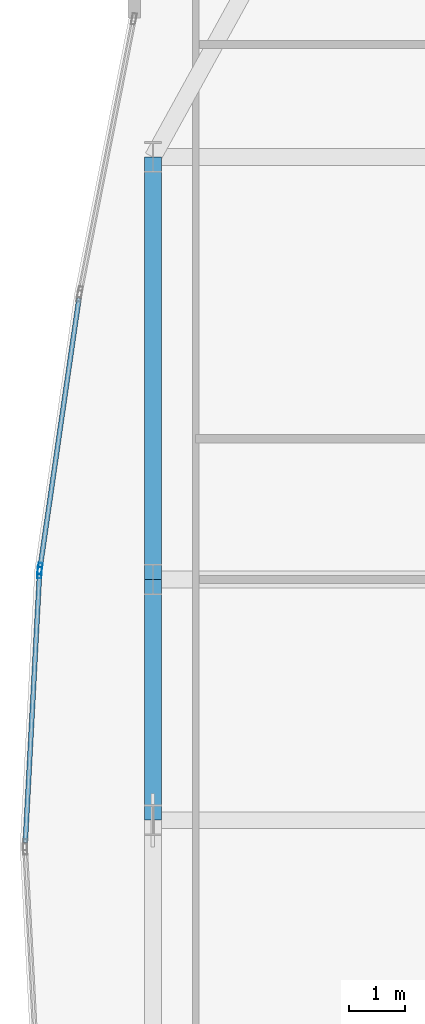
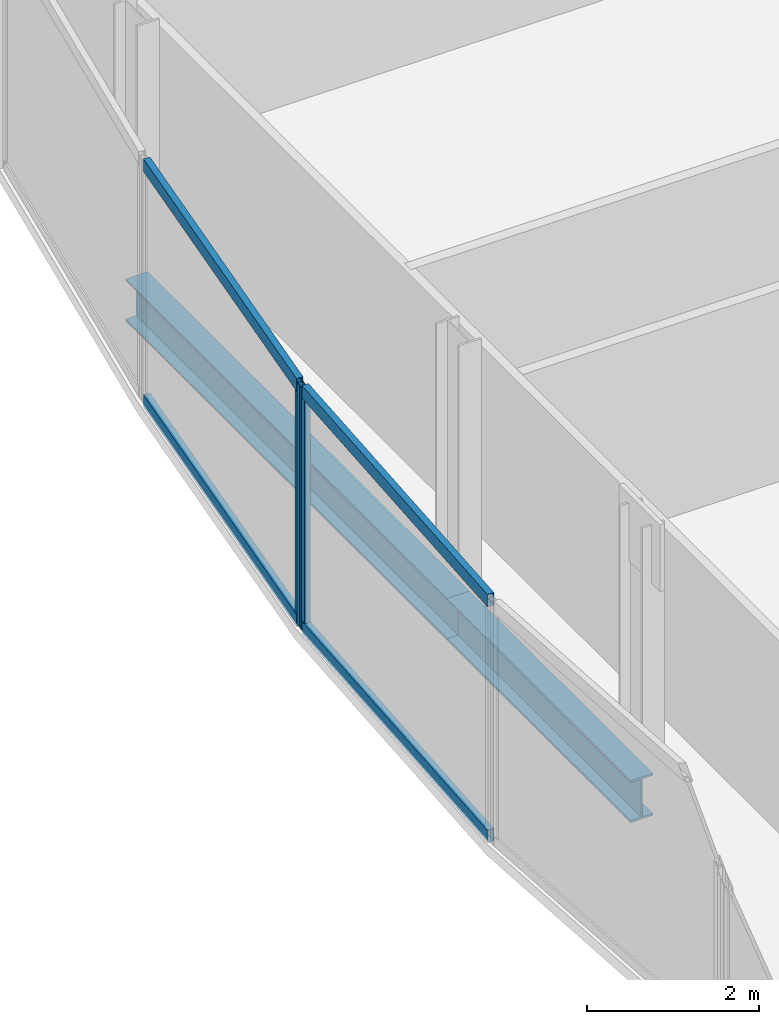
# One storey, part 11 of 29: 6 members, 2 beams, 2 elements without a shape of their own.
"""IFC4 building model written with IfcOpenShell, lengths in metres."""

from ifc_helpers import new_model, si_unit, direction, frame, origin, origin_2d, place, context, subcontext, project, spatial, hollow_rectangle, i_section, extrude, material, material_profile, profile_set, type_object, element, aggregate, save


model = new_model("IFC4")

# Units and contexts
model_context = context("Model", 3, precision=1e-05, world=origin(), true_north=direction((0.0, 1.0)))
body_context = subcontext(model_context, "Body", "Model", "MODEL_VIEW")
ifc_project = project(units=[si_unit("LENGTHUNIT", "METRE"), si_unit("AREAUNIT", "SQUARE_METRE"), si_unit("VOLUMEUNIT", "CUBIC_METRE"), si_unit("PLANEANGLEUNIT", "RADIAN"), si_unit("MASSUNIT", "GRAM", prefix="KILO")], contexts=[model_context])

# Site, building, storey
site_placement = place(None, origin())
site = spatial("IfcSite", under=ifc_project, at=site_placement, CompositionType="ELEMENT")
building_placement = place(site_placement, origin())
building = spatial("IfcBuilding", under=site, at=building_placement, Name="Khoronbel Lancet Exchange", CompositionType="ELEMENT")
storey_placement = place(building_placement, frame((0.0, 0.0, 154.199951171875)))
storey = spatial("IfcBuildingStorey", under=building, at=storey_placement, Name="L38", CompositionType="ELEMENT", Elevation=154.199951171875)

# Beams
ifc_material_1 = material(Name="Steel S355", Category="steel")
ifc_material_profile_1 = material_profile(ifc_material_1, i_section(OverallWidth=0.300048828125, OverallDepth=0.60009765625, WebThickness=0.015380859375, FlangeThickness=0.030029296875, at=origin_2d()), Name="HEB 600")
ifc_profile_set_1 = profile_set([ifc_material_profile_1], Name="Steel S355")
beam_type = type_object("IfcBeamType", Name="BM-BSP2", PredefinedType="SPANDREL", material=ifc_profile_set_1)
beam_1_placement = place(storey_placement, frame((5.27001953125, 43.199951171875, -0.4599609375), z_axis=(0.0, -1.0, 0.0), x_axis=(1.0, 0.0, 0.0)))
element("IfcBeam", 1, at=beam_1_placement, inside=storey, type_object=beam_type, Name="Level L38 perimeter spandrel beam SP17", PredefinedType="SPANDREL", context=body_context, shape_type="SweptSolid", body=[
    extrude(i_section(OverallWidth=0.300048828125, OverallDepth=0.60009765625, WebThickness=0.015380859375, FlangeThickness=0.030029296875, at=origin_2d()), origin(), (0.0, 0.0, 1.0), 7.5),
])
beam_2_placement = place(storey_placement, frame((5.27001953125, 35.699951171875, -0.4599609375), z_axis=(0.0, -1.0, 0.0), x_axis=(1.0, 0.0, 0.0)))
element("IfcBeam", 2, at=beam_2_placement, inside=storey, type_object=beam_type, Name="Level L38 perimeter spandrel beam SP18", PredefinedType="SPANDREL", context=body_context, shape_type="SweptSolid", body=[
    extrude(i_section(OverallWidth=0.300048828125, OverallDepth=0.60009765625, WebThickness=0.015380859375, FlangeThickness=0.030029296875, at=origin_2d()), origin(), (0.0, 0.0, 1.0), 4.27490234375),
])

# Curtain wall, member
ifc_material_2 = material(Name="Low-E Solar Control Insulating Glass", Category="glass")
curtain_wall_type = type_object("IfcCurtainWallType", Name="CW-4", PredefinedType="NOTDEFINED", material=ifc_material_2)
curtain_wall_1_placement = place(storey_placement, origin())
curtain_wall_1 = element("IfcCurtainWall", 3, at=curtain_wall_1_placement, inside=storey, type_object=curtain_wall_type, Name="Unitised curtain wall CW-L38-E07", PredefinedType="NOTDEFINED")
ifc_material_3 = material(Name="Bronze-Anodised Aluminium 6063-T6", Category="aluminium")
ifc_material_profile_2 = material_profile(ifc_material_3, hollow_rectangle(XDim=0.074951171875, YDim=0.199951171875, WallThickness=0.0048828125, at=origin_2d()), Name="ALU MULLION 75x200")
ifc_profile_set_2 = profile_set([ifc_material_profile_2], Name="Bronze-Anodised Aluminium 6063-T6")
member_type_1 = type_object("IfcMemberType", Name="MEM-CWM2", PredefinedType="MULLION", material=ifc_profile_set_2)
member_1_placement = place(storey_placement, frame((3.2578125, 35.820556640625, 0.0), z_axis=(0.0, 0.0, 1.0), x_axis=(-0.998605097412, 0.052800183936, 0.0)))
member_1 = element("IfcMember", 4, at=member_1_placement, type_object=member_type_1, Name="CW4 mullion 2", PredefinedType="MULLION", context=body_context, shape_type="SweptSolid", body=[
    extrude(hollow_rectangle(XDim=0.074951171875, YDim=0.199951171875, WallThickness=0.0048828125, at=origin_2d()), origin(), (0.0, 0.0, 1.0), 3.43994140625),
])

curtain_wall_2_placement = place(storey_placement, origin())
curtain_wall_2 = element("IfcCurtainWall", 5, at=curtain_wall_2_placement, inside=storey, type_object=curtain_wall_type, Name="Unitised curtain wall CW-L38-E08", PredefinedType="NOTDEFINED")
member_2_placement = place(storey_placement, frame((3.26513671875, 35.89501953125, 0.0), z_axis=(0.0, 0.0, 1.0), x_axis=(-0.989732666103, 0.142930926147, 0.0)))
member_2 = element("IfcMember", 6, at=member_2_placement, type_object=member_type_1, Name="CW4 mullion 1", PredefinedType="MULLION", context=body_context, shape_type="SweptSolid", body=[
    extrude(hollow_rectangle(XDim=0.074951171875, YDim=0.199951171875, WallThickness=0.0048828125, at=origin_2d()), origin(), (0.0, 0.0, 1.0), 3.43994140625),
])

# Member
ifc_material_profile_3 = material_profile(ifc_material_3, hollow_rectangle(XDim=0.0849609375, YDim=0.179931640625, WallThickness=0.0048828125, at=origin_2d()), Name="ALU TRANSOM 85x180")
ifc_profile_set_3 = profile_set([ifc_material_profile_3], Name="Bronze-Anodised Aluminium 6063-T6")
member_type_2 = type_object("IfcMemberType", Name="MEM-CWT1", PredefinedType="USERDEFINED", material=ifc_profile_set_3)
member_3_placement = place(storey_placement, frame((3.004150390625, 31.02490234375, 0.04248046875), z_axis=(0.052827767017, 0.998603638603, 0.0), x_axis=(-0.998603638603, 0.052827767017, 0.0)))
member_3 = element("IfcMember", 7, at=member_3_placement, type_object=member_type_2, Name="CW4 transom 1.1", ObjectType="TRANSOM", PredefinedType="USERDEFINED", context=body_context, shape_type="SweptSolid", body=[
    extrude(hollow_rectangle(XDim=0.0849609375, YDim=0.179931640625, WallThickness=0.0048828125, at=origin_2d()), origin(), (0.0, 0.0, 1.0), 4.7646484375),
])

member_4_placement = place(storey_placement, frame((3.004150390625, 31.02490234375, 3.3974609375), z_axis=(0.052827767017, 0.998603638603, 0.0), x_axis=(-0.998603638603, 0.052827767017, 0.0)))
member_4 = element("IfcMember", 8, at=member_4_placement, type_object=member_type_2, Name="CW4 transom 1.2", ObjectType="TRANSOM", PredefinedType="USERDEFINED", context=body_context, shape_type="SweptSolid", body=[
    extrude(hollow_rectangle(XDim=0.0849609375, YDim=0.179931640625, WallThickness=0.0048828125, at=origin_2d()), origin(), (0.0, 0.0, 1.0), 4.7646484375),
])

aggregate(curtain_wall_1, [member_1, member_3, member_4])

member_5_placement = place(storey_placement, frame((3.2705078125, 35.93212890625, 0.04248046875), z_axis=(0.142898903249, 0.989737290118, 0.0), x_axis=(-0.989737290118, 0.142898903249, 0.0)))
member_5 = element("IfcMember", 9, at=member_5_placement, type_object=member_type_2, Name="CW4 transom 1.1", ObjectType="TRANSOM", PredefinedType="USERDEFINED", context=body_context, shape_type="SweptSolid", body=[
    extrude(hollow_rectangle(XDim=0.0849609375, YDim=0.179931640625, WallThickness=0.0048828125, at=origin_2d()), origin(), (0.0, 0.0, 1.0), 4.81103515625),
])

member_6_placement = place(storey_placement, frame((3.2705078125, 35.93212890625, 3.3974609375), z_axis=(0.142898903249, 0.989737290118, 0.0), x_axis=(-0.989737290118, 0.142898903249, 0.0)))
member_6 = element("IfcMember", 10, at=member_6_placement, type_object=member_type_2, Name="CW4 transom 1.2", ObjectType="TRANSOM", PredefinedType="USERDEFINED", context=body_context, shape_type="SweptSolid", body=[
    extrude(hollow_rectangle(XDim=0.0849609375, YDim=0.179931640625, WallThickness=0.0048828125, at=origin_2d()), origin(), (0.0, 0.0, 1.0), 4.81103515625),
])

aggregate(curtain_wall_2, [member_2, member_5, member_6])

save(model, "model.ifc")
